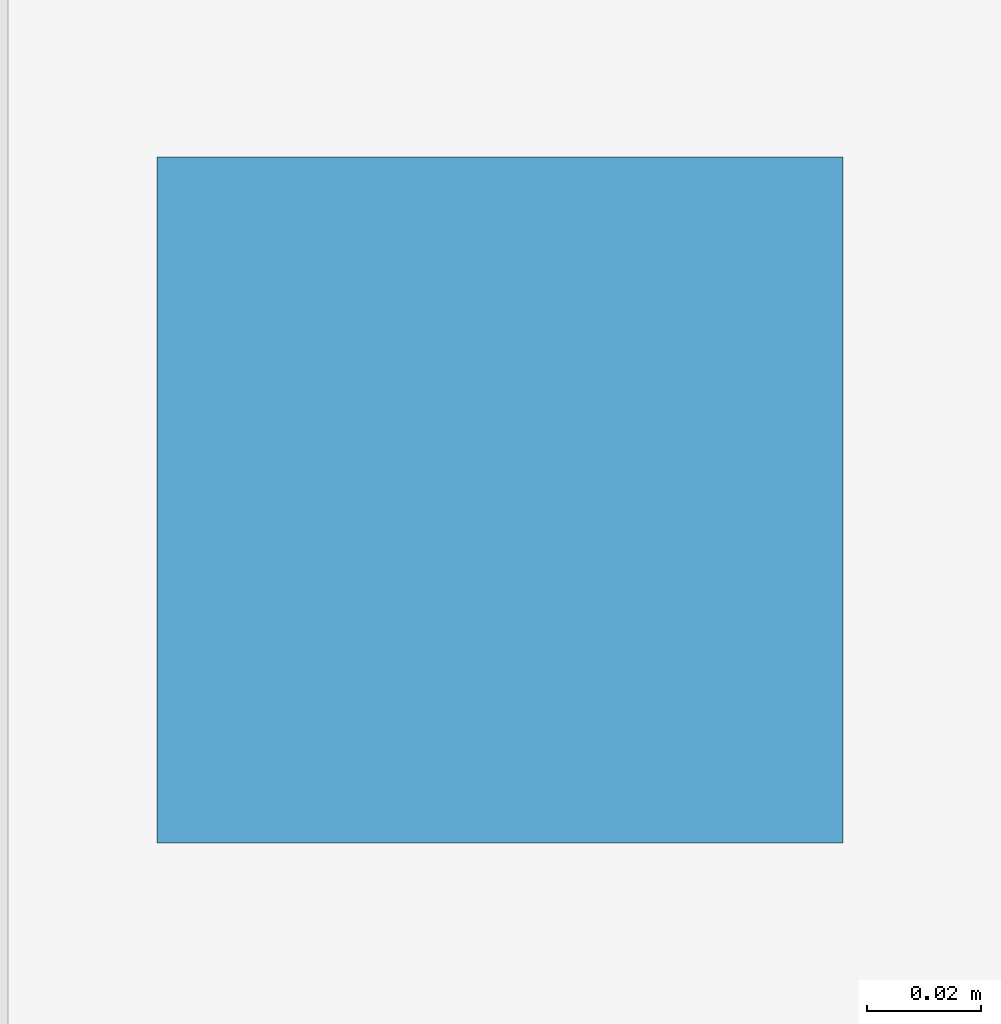
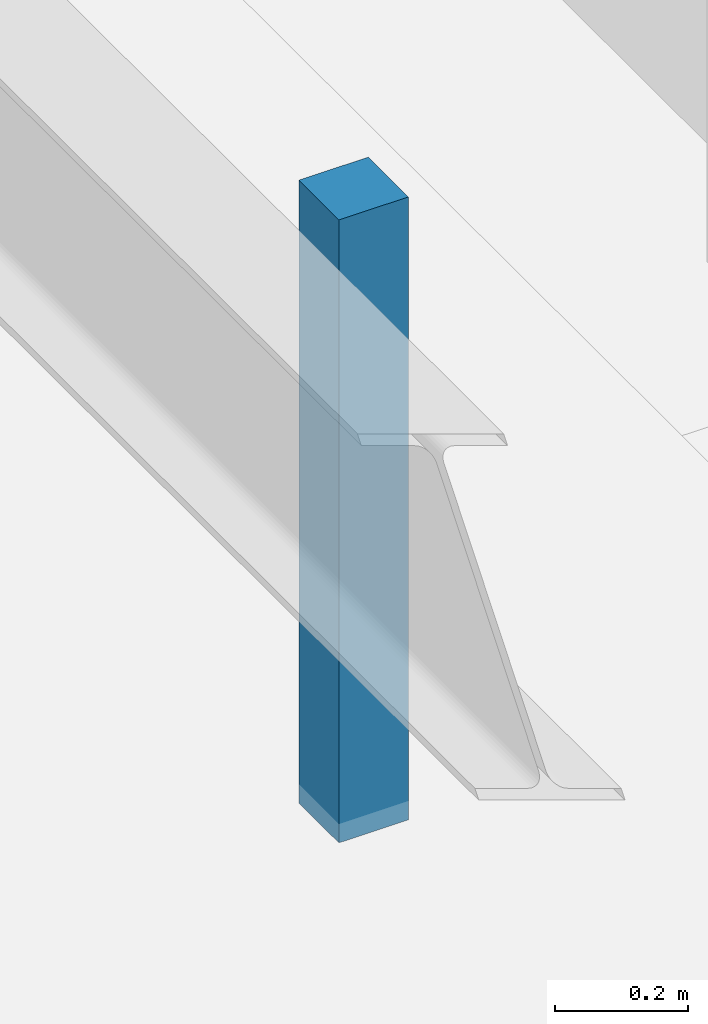
# One storey, part 65 of 103: 1 discrete accessory.
"""IFC4 building model written with IfcOpenShell, lengths in metres."""

import ifcopenshell
import ifcopenshell.guid

model = None  # the IFC model being written
_history = None  # IfcOwnerHistory: only IFC2X3 demands one
_inside = {}  # id of a spatial element -> (the spatial element, [elements in it])
_under = {}  # id of a project, library or spatial element -> (it, [spatial elements below it])
_declared = {}  # id of a project -> (the project, [libraries it declares])
_typed = {}  # id of a type object -> (the type object, [elements of that type])
_made_of = {}  # id of a material, layer set ... -> (it, [elements and type objects made of it])


def new_model(schema):
    """Start an empty IFC model of exactly this schema.

    Asked for "IFC4X3", IfcOpenShell would pick the latest addendum, in which some entities
    have other attributes; the version numbers below select the first issue.
    IFC2X3 requires an IfcOwnerHistory on every rooted entity: one is made here for all.
    """
    global model, _history
    if schema == "IFC4X3":
        model = ifcopenshell.file(schema_version=(4, 3, 0, 0))
    else:
        model = ifcopenshell.file(schema=schema)
    _inside.clear()
    _under.clear()
    _declared.clear()
    _typed.clear()
    _made_of.clear()
    _history = None
    if model.schema == "IFC2X3":
        org = make("IfcOrganization", Name="unknown")
        user = make(
            "IfcPersonAndOrganization",
            ThePerson=make("IfcPerson", FamilyName="unknown"),
            TheOrganization=org,
        )
        app = make(
            "IfcApplication",
            ApplicationDeveloper=org,
            Version="unknown",
            ApplicationFullName="unknown",
            ApplicationIdentifier="unknown",
        )
        _history = make(
            "IfcOwnerHistory",
            OwningUser=user,
            OwningApplication=app,
            ChangeAction="ADDED",
            CreationDate=0,
        )
    return model


def make(cls, **values):
    """One entity of the class cls with the attributes given. An attribute that is None is left unset."""
    return model.create_entity(
        cls, **{name: value for name, value in values.items() if value is not None}
    )


def rooted(cls, **values):
    """An entity with a GlobalId (a new one), such as an element, a storey or a relation."""
    return make(cls, GlobalId=ifcopenshell.guid.new(), OwnerHistory=_history, **values)


def si_unit(unit_type, name, prefix=None):
    """IfcSIUnit, for example si_unit("LENGTHUNIT", "METRE", prefix="MILLI")."""
    return make("IfcSIUnit", UnitType=unit_type, Prefix=prefix, Name=name)


def assignment(units):
    """IfcUnitAssignment: the units of a project."""
    return None if units is None else make("IfcUnitAssignment", Units=units)


def point(xyz):
    """IfcCartesianPoint."""
    return None if xyz is None else make("IfcCartesianPoint", Coordinates=xyz)


def direction(xyz):
    """IfcDirection."""
    return None if xyz is None else make("IfcDirection", DirectionRatios=xyz)


def frame(location, z_axis=None, x_axis=None):
    """IfcAxis2Placement3D, a coordinate frame: its origin and axes. An axis left out is left unset."""
    return make(
        "IfcAxis2Placement3D",
        Location=point(location),
        Axis=direction(z_axis),
        RefDirection=direction(x_axis),
    )


def frame_2d(location, x_axis=None):
    """IfcAxis2Placement2D, a coordinate frame in the plane: its origin and x axis."""
    return make(
        "IfcAxis2Placement2D", Location=point(location), RefDirection=direction(x_axis)
    )


def origin():
    """The frame at (0, 0, 0) with its axes left unset."""
    return frame((0.0, 0.0, 0.0))


def origin_2d():
    """The frame at (0, 0) in the plane with its x axis left unset."""
    return frame_2d((0.0, 0.0))


def place(relative_to, where):
    """IfcLocalPlacement: puts the frame where relative to a parent placement (None: the world)."""
    return make(
        "IfcLocalPlacement", PlacementRelTo=relative_to, RelativePlacement=where
    )


def context(
    kind, dimensions, precision=None, world=None, true_north=None, identifier=None
):
    """IfcGeometricRepresentationContext, for example the 3D "Model" context."""
    return make(
        "IfcGeometricRepresentationContext",
        ContextIdentifier=identifier,
        ContextType=kind,
        CoordinateSpaceDimension=dimensions,
        Precision=precision,
        WorldCoordinateSystem=world,
        TrueNorth=true_north,
    )


def subcontext(parent, identifier, kind, view, scale=None):
    """IfcGeometricRepresentationSubContext, for example "Body" below "Model"."""
    return make(
        "IfcGeometricRepresentationSubContext",
        ContextIdentifier=identifier,
        ContextType=kind,
        ParentContext=parent,
        TargetScale=scale,
        TargetView=view,
    )


def project(units=None, contexts=None):
    """IfcProject with its units and contexts."""
    return rooted(
        "IfcProject",
        Name="project",
        RepresentationContexts=contexts,
        UnitsInContext=assignment(units),
    )


def spatial(cls, under=None, at=None, **own):
    """A site, building, storey or space (cls), placed at a placement, below another one or the project."""
    s = rooted(cls, ObjectPlacement=at, **own)
    if under is not None:
        _under.setdefault(under.id(), (under, []))[1].append(s)
    return s


def profile(cls, at=None, kind="AREA", **sizes):
    """A parametric profile (cls). Its sizes go by their IFC names, for example OverallWidth=200.0."""
    return make(cls, ProfileType=kind, Position=at, **sizes)


def rectangle(**sizes):
    """IfcRectangleProfileDef."""
    return profile("IfcRectangleProfileDef", **sizes)


def extrude(swept, where, along, depth):
    """IfcExtrudedAreaSolid: the profile swept, set in the frame where, extruded along a direction by depth."""
    return make(
        "IfcExtrudedAreaSolid",
        SweptArea=swept,
        Position=where,
        ExtrudedDirection=direction(along),
        Depth=depth,
    )


def shape(context_of_items, identifier, shape_type, items):
    """IfcShapeRepresentation: the items that make up one representation, for example the "Body"."""
    return make(
        "IfcShapeRepresentation",
        ContextOfItems=context_of_items,
        RepresentationIdentifier=identifier,
        RepresentationType=shape_type,
        Items=items,
    )


def material(Name=None, Category=None):
    """IfcMaterial."""
    return make("IfcMaterial", Name=Name, Category=Category)


def made_of(thing, what):
    """Note that an element or type object is made of a material, layer set ...; save() writes the relation."""
    if what is not None:
        _made_of.setdefault(what.id(), (what, []))[1].append(thing)
    return thing


def type_object(cls, material=None, **own):
    """A type object (cls), such as IfcWallType, which elements share."""
    return made_of(rooted(cls, **own), material)


def element(
    cls,
    number,
    at=None,
    inside=None,
    cuts=None,
    type_object=None,
    material=None,
    context=None,
    identifier="Body",
    shape_type=None,
    held_by="IfcProductDefinitionShape",
    body=None,
    shapes=None,
    **own,
):
    """One element of the class cls, such as IfcWall. Its Tag is "e" and its number.

    at: its placement. inside: the storey or other place that contains it. cuts: it is an
    opening in that element (IfcRelVoidsElement). A single representation is given by context,
    identifier, shape_type and body (its items); several are given by shapes. held_by: the class
    of the entity that holds the representations. save() writes the other relations.
    """
    e = rooted(cls, Tag="e%d" % number, ObjectPlacement=at, **own)
    if body is not None:
        shapes = [shape(context, identifier, shape_type, body)]
    if shapes is not None:
        e.Representation = make(held_by, Representations=shapes)
    if inside is not None:
        _inside.setdefault(inside.id(), (inside, []))[1].append(e)
    if cuts is not None:
        rooted(
            "IfcRelVoidsElement", RelatingBuildingElement=cuts, RelatedOpeningElement=e
        )
    if type_object is not None:
        _typed.setdefault(type_object.id(), (type_object, []))[1].append(e)
    return made_of(e, material)


def aggregate(whole, parts):
    """IfcRelAggregates: a whole, such as a stair, and the parts it consists of."""
    return rooted("IfcRelAggregates", RelatingObject=whole, RelatedObjects=parts)


def save(model, path):
    """Write the relations noted so far, then the file.

    IfcRelAggregates (storeys below a building ...), IfcRelContainedInSpatialStructure (elements
    in a storey), IfcRelDefinesByType, IfcRelAssociatesMaterial and IfcRelDeclares: one each for
    every whole, place, type object, material and project.
    """
    for whole, parts in _under.values():
        aggregate(whole, parts)
    for where, things in _inside.values():
        rooted(
            "IfcRelContainedInSpatialStructure",
            RelatedElements=things,
            RelatingStructure=where,
        )
    for kind, things in _typed.values():
        rooted("IfcRelDefinesByType", RelatedObjects=things, RelatingType=kind)
    for what, things in _made_of.values():
        rooted("IfcRelAssociatesMaterial", RelatedObjects=things, RelatingMaterial=what)
    for by, libraries in _declared.values():
        rooted("IfcRelDeclares", RelatingContext=by, RelatedDefinitions=libraries)
    model.write(path)


model = new_model("IFC4")

# Units and contexts
model_context = context("Model", 3, precision=1e-05, world=origin(), true_north=direction((0.0, 1.0)))
body_context = subcontext(model_context, "Body", "Model", "MODEL_VIEW")
ifc_project = project(units=[si_unit("LENGTHUNIT", "METRE"), si_unit("AREAUNIT", "SQUARE_METRE"), si_unit("VOLUMEUNIT", "CUBIC_METRE"), si_unit("PLANEANGLEUNIT", "RADIAN"), si_unit("MASSUNIT", "GRAM", prefix="KILO")], contexts=[model_context])

# Site, building, storey
site_placement = place(None, origin())
site = spatial("IfcSite", under=ifc_project, at=site_placement, CompositionType="ELEMENT")
building_placement = place(site_placement, origin())
building = spatial("IfcBuilding", under=site, at=building_placement, Name="Zlatogorsky Bluff Art Gallery", CompositionType="ELEMENT")
storey_placement = place(building_placement, origin())
storey = spatial("IfcBuildingStorey", under=building, at=storey_placement, Name="L00", CompositionType="ELEMENT", Elevation=0.0)

# Discrete accessory
ifc_material = material(Name="Steel S355", Category="steel")
discrete_accessory_type = type_object("IfcDiscreteAccessoryType", Name="Stainless Facade Fin Bracket BRK-01", PredefinedType="BRACKET", material=ifc_material)
discrete_accessory_placement = place(storey_placement, frame((162.3525390625, 32.780029296875, 4.05517578125), z_axis=(0.0, 0.0, 1.0), x_axis=(1.0, 0.0, 0.0)))
element("IfcDiscreteAccessory", 1, at=discrete_accessory_placement, inside=storey, type_object=discrete_accessory_type, Name="Acoustic ceiling suspension hanger L00-L1-12", PredefinedType="BRACKET", context=body_context, shape_type="SweptSolid", body=[
    extrude(rectangle(XDim=0.1201171875, YDim=0.1201171875, at=origin_2d()), origin(), (0.0, 0.0, 1.0), 1.139892578125),
])

save(model, "model.ifc")
